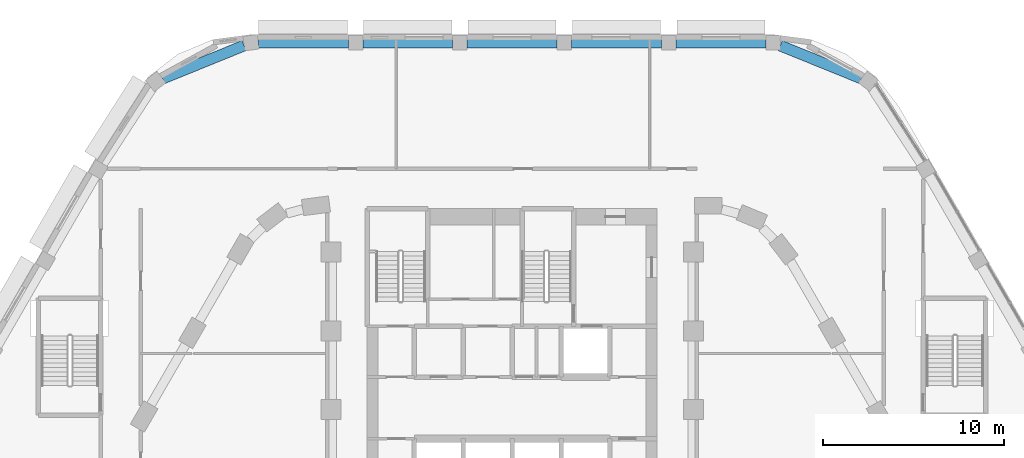
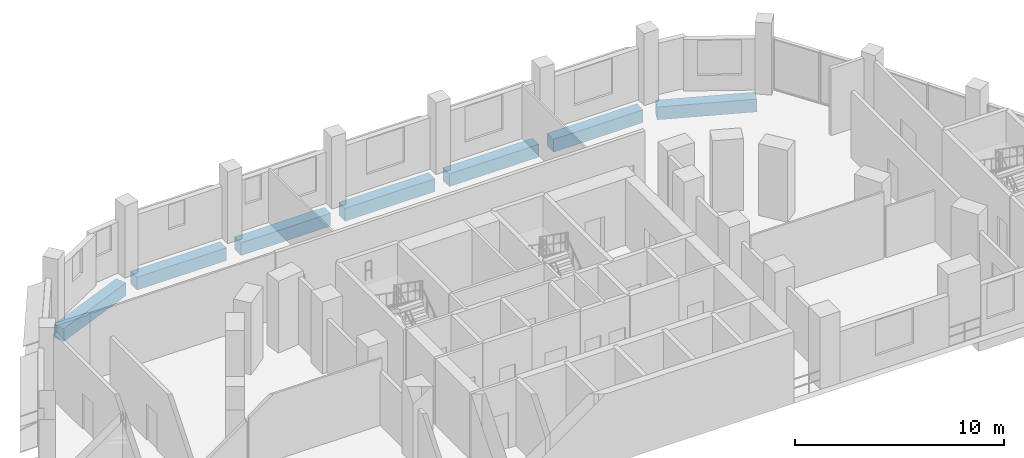
# One storey, part 6 of 33: 7 beams.
"""IFC4 building model written with IfcOpenShell, lengths in metres."""

from ifc_helpers import new_model, si_unit, direction, frame, origin, origin_2d, place, context, subcontext, project, spatial, rectangle, extrude, material, material_profile, profile_set, type_object, element, save


model = new_model("IFC4")

# Units and contexts
model_context = context("Model", 3, precision=1e-05, world=origin(), true_north=direction((0.0, 1.0)))
body_context = subcontext(model_context, "Body", "Model", "MODEL_VIEW")
ifc_project = project(units=[si_unit("LENGTHUNIT", "METRE"), si_unit("AREAUNIT", "SQUARE_METRE"), si_unit("VOLUMEUNIT", "CUBIC_METRE"), si_unit("PLANEANGLEUNIT", "RADIAN"), si_unit("MASSUNIT", "GRAM", prefix="KILO")], contexts=[model_context])

# Site, building, storey
site_placement = place(None, origin())
site = spatial("IfcSite", under=ifc_project, at=site_placement, CompositionType="ELEMENT")
building_placement = place(site_placement, origin())
building = spatial("IfcBuilding", under=site, at=building_placement, Name="Nakaniwa Court", CompositionType="ELEMENT")
storey_placement = place(building_placement, frame((0.0, 0.0, 19.800048828125)))
storey = spatial("IfcBuildingStorey", under=building, at=storey_placement, Name="L04", CompositionType="ELEMENT", Elevation=19.800048828125)

# Beams
ifc_material = material(Name="Concrete C100/115", Category="concrete")
ifc_material_profile = material_profile(ifc_material, rectangle(XDim=0.60009765625, YDim=0.75, at=origin_2d()), Name="Concrete C100/115 RC 600x750 ring beam")
ifc_profile_set = profile_set([ifc_material_profile], Name="Concrete C100/115")
beam_type = type_object("IfcBeamType", Name="Concrete C100/115 RC 600x750 ring beam", PredefinedType="BEAM", material=ifc_profile_set)
beam_1_placement = place(storey_placement, frame((65.212646484375, 112.39453125, -0.675048828125), z_axis=(-0.926515861433, -0.376255708945, 0.0), x_axis=(0.376255708945, -0.926515861433, 0.0)))
element("IfcBeam", 1, at=beam_1_placement, inside=storey, type_object=beam_type, Name="RING BEAM", PredefinedType="BEAM", context=body_context, shape_type="SweptSolid", body=[
    extrude(rectangle(XDim=0.60009765625, YDim=0.75, at=origin_2d()), origin(), (0.0, 0.0, 1.0), 4.857421875),
])
beam_2_placement = place(storey_placement, frame((99.276123046875, 110.575439453125, -0.675048828125), z_axis=(-0.926771165267, 0.375626419771, 0.0), x_axis=(-0.375626419771, -0.926771165267, 0.0)))
element("IfcBeam", 2, at=beam_2_placement, inside=storey, type_object=beam_type, Name="RING BEAM", PredefinedType="BEAM", context=body_context, shape_type="SweptSolid", body=[
    extrude(rectangle(XDim=0.60009765625, YDim=0.75, at=origin_2d()), origin(), (0.0, 0.0, 1.0), 4.8251953125),
])
beam_3_placement = place(storey_placement, frame((94.00439453125, 112.550048828125, -0.675048828125), z_axis=(-1.0, 0.0, 0.0), x_axis=(0.0, -1.0, 0.0)))
element("IfcBeam", 3, at=beam_3_placement, inside=storey, type_object=beam_type, Name="RING BEAM", PredefinedType="BEAM", context=body_context, shape_type="SweptSolid", body=[
    extrude(rectangle(XDim=0.60009765625, YDim=0.75, at=origin_2d()), origin(), (0.0, 0.0, 1.0), 4.9619140625),
])
beam_4_placement = place(storey_placement, frame((88.24267578125, 112.550048828125, -0.675048828125), z_axis=(-1.0, 0.0, 0.0), x_axis=(0.0, -1.0, 0.0)))
element("IfcBeam", 4, at=beam_4_placement, inside=storey, type_object=beam_type, Name="RING BEAM", PredefinedType="BEAM", context=body_context, shape_type="SweptSolid", body=[
    extrude(rectangle(XDim=0.60009765625, YDim=0.75, at=origin_2d()), origin(), (0.0, 0.0, 1.0), 4.961669921875),
])
beam_5_placement = place(storey_placement, frame((82.48095703125, 112.550048828125, -0.675048828125), z_axis=(-1.0, 0.0, 0.0), x_axis=(0.0, -1.0, 0.0)))
element("IfcBeam", 5, at=beam_5_placement, inside=storey, type_object=beam_type, Name="RING BEAM", PredefinedType="BEAM", context=body_context, shape_type="SweptSolid", body=[
    extrude(rectangle(XDim=0.60009765625, YDim=0.75, at=origin_2d()), origin(), (0.0, 0.0, 1.0), 4.9619140625),
])
beam_6_placement = place(storey_placement, frame((76.718994140625, 112.550048828125, -0.675048828125), z_axis=(-1.0, 0.0, 0.0), x_axis=(0.0, -1.0, 0.0)))
element("IfcBeam", 6, at=beam_6_placement, inside=storey, type_object=beam_type, Name="RING BEAM", PredefinedType="BEAM", context=body_context, shape_type="SweptSolid", body=[
    extrude(rectangle(XDim=0.60009765625, YDim=0.75, at=origin_2d()), origin(), (0.0, 0.0, 1.0), 4.961669921875),
])
beam_7_placement = place(storey_placement, frame((70.95751953125, 112.550048828125, -0.675048828125), z_axis=(-1.0, 0.0, 0.0), x_axis=(0.0, -1.0, 0.0)))
element("IfcBeam", 7, at=beam_7_placement, inside=storey, type_object=beam_type, Name="RING BEAM", PredefinedType="BEAM", context=body_context, shape_type="SweptSolid", body=[
    extrude(rectangle(XDim=0.60009765625, YDim=0.75, at=origin_2d()), origin(), (0.0, 0.0, 1.0), 4.958251953125),
])

save(model, "model.ifc")
